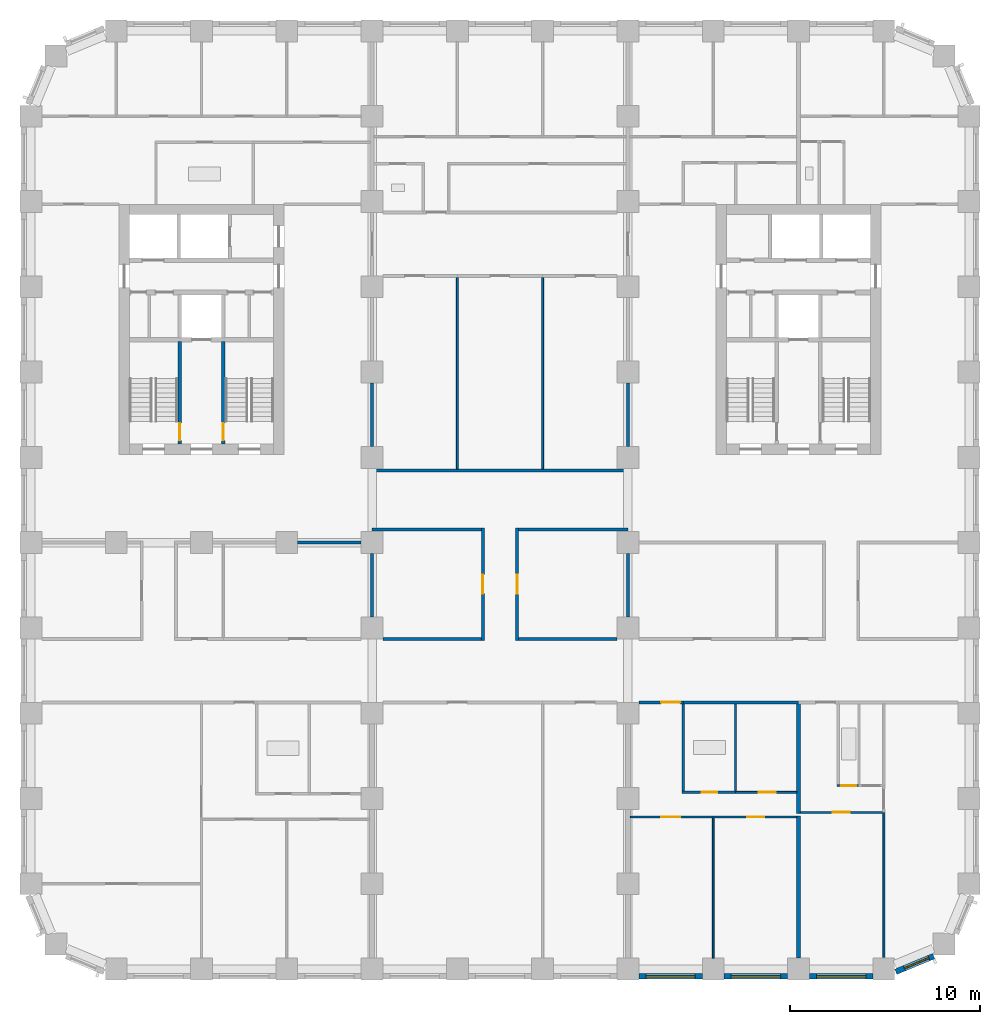
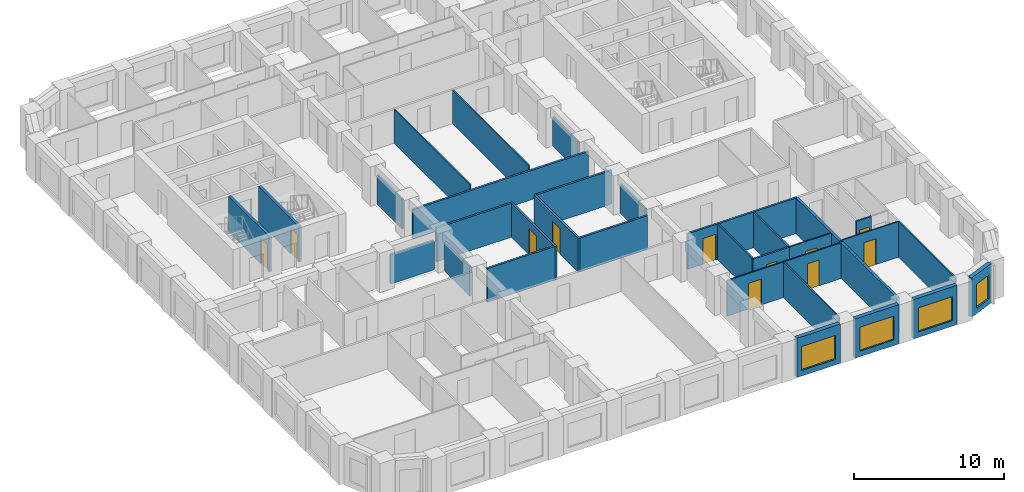
# One storey, part 4 of 13: 34 walls, 11 doors, 4 windows, 15 openings.
"""IFC4 building model written with IfcOpenShell, lengths in metres."""

from ifc_helpers import new_model, si_unit, direction, frame, frame_2d, origin, place, context, subcontext, project, spatial, rectangle, extrude, material, layer, layer_set, type_object, element, fill, save


model = new_model("IFC4")

# Units and contexts
model_context = context("Model", 3, precision=1e-05, world=origin(), true_north=direction((0.0, 1.0)))
body_context = subcontext(model_context, "Body", "Model", "MODEL_VIEW")
ifc_project = project(units=[si_unit("LENGTHUNIT", "METRE"), si_unit("AREAUNIT", "SQUARE_METRE"), si_unit("VOLUMEUNIT", "CUBIC_METRE"), si_unit("PLANEANGLEUNIT", "RADIAN"), si_unit("MASSUNIT", "GRAM", prefix="KILO")], contexts=[model_context])

# Site, building, storey
site_placement = place(None, origin())
site = spatial("IfcSite", under=ifc_project, at=site_placement, CompositionType="ELEMENT")
building_placement = place(site_placement, origin())
building = spatial("IfcBuilding", under=site, at=building_placement, Name="Girih Gate Residences", CompositionType="ELEMENT")
storey_placement = place(building_placement, frame((0.0, 0.0, 89.60009765625)))
storey = spatial("IfcBuildingStorey", under=building, at=storey_placement, Name="L24", CompositionType="ELEMENT", Elevation=89.60009765625)

# Wall
ifc_material_1 = material(Name="Gypsum board on steel studs", Category="steel")
ifc_layer_1 = layer(ifc_material_1, 0.14990234375)
ifc_layer_set_1 = layer_set([ifc_layer_1], Name="Compartment wall 150 mm")
wall_type_1 = type_object("IfcWallType", Name="Compartment wall 150 mm", PredefinedType="PARTITIONING", material=ifc_layer_set_1)
wall_1_placement = place(storey_placement, frame((34.425048828125, 14.074951171875, 0.0), z_axis=(0.0, 0.0, 1.0), x_axis=(1.0, 0.0, 0.0)))
element("IfcWall", 1, at=wall_1_placement, inside=storey, type_object=wall_type_1, Name="L24 partition", PredefinedType="PARTITIONING", context=body_context, shape_type="SweptSolid", body=[
    extrude(rectangle(XDim=6.074951171875, YDim=0.14990234375, at=frame_2d((3.03759765625, 0.0))), origin(), (0.0, 0.0, 1.0), 2.89990234375),
])

# Wall, opening, door
wall_2_placement = place(storey_placement, frame((34.425048828125, 14.074951171875, 0.0), z_axis=(0.0, 0.0, 1.0), x_axis=(-1.0, 0.0, 0.0)))
wall_2 = element("IfcWall", 2, at=wall_2_placement, inside=storey, type_object=wall_type_1, Name="L24 partition", PredefinedType="PARTITIONING", context=body_context, shape_type="SweptSolid", body=[
    extrude(rectangle(XDim=2.35009765625, YDim=0.14990234375, at=frame_2d((1.175048828125, 0.0))), origin(), (0.0, 0.0, 1.0), 2.89990234375),
])
opening_1_placement = place(wall_2_placement, frame((0.175048828125, 0.0, 0.0)))
opening_1 = element("IfcOpeningElement", 3, at=opening_1_placement, cuts=wall_2, Name="Opening A24-024", PredefinedType="OPENING", context=body_context, shape_type="SweptSolid", body=[
    extrude(rectangle(XDim=1.0, YDim=2.10009765625, at=frame_2d((0.5, 1.050048828125))), frame((0.0, 0.0849609375, 0.0), z_axis=(0.0, -1.0, 0.0), x_axis=(1.0, 0.0, 0.0)), (0.0, 0.0, 1.0), 0.169921875),
])
ifc_material_2 = material(Name="Timber, fire-rated core", Category="wood")
door_type_1 = type_object("IfcDoorType", Name="Flat entrance door 1000x2100 FD30S", OperationType="NOTDEFINED", PredefinedType="DOOR", material=ifc_material_2)
door_1_placement = place(opening_1_placement, origin())
door_1 = element("IfcDoor", 4, at=door_1_placement, inside=storey, type_object=door_type_1, Name="Door A24-024", OperationType="SINGLE_SWING_LEFT", OverallHeight=2.10009765625, OverallWidth=1.0, PredefinedType="DOOR", context=body_context, shape_type="SweptSolid", body=[
    extrude(rectangle(XDim=1.0, YDim=2.10009765625, at=frame_2d((0.5, 1.050048828125))), frame((0.0, 0.02490234375, 0.0), z_axis=(0.0, -1.0, 0.0), x_axis=(1.0, 0.0, 0.0)), (0.0, 0.0, 1.0), 0.050048828125),
])
fill(opening_1, door_1)

wall_3_placement = place(storey_placement, frame((23.85009765625, 17.35009765625, 0.0), z_axis=(0.0, 0.0, 1.0), x_axis=(0.0, 1.0, 0.0)))
wall_3 = element("IfcWall", 5, at=wall_3_placement, inside=storey, type_object=wall_type_1, Name="L24 partition", PredefinedType="PARTITIONING", context=body_context, shape_type="SweptSolid", body=[
    extrude(rectangle(XDim=5.9248046875, YDim=0.14990234375, at=frame_2d((2.96240234375, 0.0))), origin(), (0.0, 0.0, 1.0), 2.75),
])
opening_2_placement = place(wall_3_placement, frame((2.46240234375, 0.0, 0.0)))
opening_2 = element("IfcOpeningElement", 6, at=opening_2_placement, cuts=wall_3, Name="Opening A24-048", PredefinedType="OPENING", context=body_context, shape_type="SweptSolid", body=[
    extrude(rectangle(XDim=1.0, YDim=2.10009765625, at=frame_2d((0.5, 1.050048828125))), frame((0.0, 0.0849609375, 0.0), z_axis=(0.0, -1.0, 0.0), x_axis=(1.0, 0.0, 0.0)), (0.0, 0.0, 1.0), 0.169921875),
])
door_type_2 = type_object("IfcDoorType", Name="Amenity room door 1000x2100 FD30S", OperationType="NOTDEFINED", PredefinedType="DOOR", material=ifc_material_2)
door_2_placement = place(opening_2_placement, origin())
door_2 = element("IfcDoor", 7, at=door_2_placement, inside=storey, type_object=door_type_2, Name="Door A24-048", OperationType="SINGLE_SWING_RIGHT", OverallHeight=2.10009765625, OverallWidth=1.0, PredefinedType="DOOR", context=body_context, shape_type="SweptSolid", body=[
    extrude(rectangle(XDim=1.0, YDim=2.10009765625, at=frame_2d((0.5, 1.050048828125))), frame((0.0, 0.02490234375, 0.0), z_axis=(0.0, -1.0, 0.0), x_axis=(1.0, 0.0, 0.0)), (0.0, 0.0, 1.0), 0.050048828125),
])
fill(opening_2, door_2)

wall_4_placement = place(storey_placement, frame((25.64990234375, 23.27490234375, 0.0), z_axis=(0.0, 0.0, 1.0), x_axis=(0.0, -1.0, 0.0)))
wall_4 = element("IfcWall", 8, at=wall_4_placement, inside=storey, type_object=wall_type_1, Name="L24 partition", PredefinedType="PARTITIONING", context=body_context, shape_type="SweptSolid", body=[
    extrude(rectangle(XDim=5.9248046875, YDim=0.14990234375, at=frame_2d((2.96240234375, 0.0))), origin(), (0.0, 0.0, 1.0), 2.75),
])
opening_3_placement = place(wall_4_placement, frame((2.46240234375, 0.0, 0.0)))
opening_3 = element("IfcOpeningElement", 9, at=opening_3_placement, cuts=wall_4, Name="Opening A24-049", PredefinedType="OPENING", context=body_context, shape_type="SweptSolid", body=[
    extrude(rectangle(XDim=1.0, YDim=2.10009765625, at=frame_2d((0.5, 1.050048828125))), frame((0.0, 0.0849609375, 0.0), z_axis=(0.0, -1.0, 0.0), x_axis=(1.0, 0.0, 0.0)), (0.0, 0.0, 1.0), 0.169921875),
])
door_3_placement = place(opening_3_placement, origin())
door_3 = element("IfcDoor", 10, at=door_3_placement, inside=storey, type_object=door_type_2, Name="Door A24-049", OperationType="SINGLE_SWING_RIGHT", OverallHeight=2.10009765625, OverallWidth=1.0, PredefinedType="DOOR", context=body_context, shape_type="SweptSolid", body=[
    extrude(rectangle(XDim=1.0, YDim=2.10009765625, at=frame_2d((0.5, 1.050048828125))), frame((0.0, 0.02490234375, 0.0), z_axis=(0.0, -1.0, 0.0), x_axis=(1.0, 0.0, 0.0)), (0.0, 0.0, 1.0), 0.050048828125),
])
fill(opening_3, door_3)

# Walls
for number, where, z_axis, x_axis, name in (
    (11, (18.574951171875, 17.425048828125, 0.0), (0.0, 0.0, 1.0), (1.0, 0.0, 0.0), "L24 partition"),
    (12, (25.72509765625, 17.425048828125, 0.0), (0.0, 0.0, 1.0), (1.0, 0.0, 0.0), "L24 partition"),
):
    element("IfcWall", number, at=place(storey_placement, frame(where, z_axis=z_axis, x_axis=x_axis)), inside=storey, type_object=wall_type_1, Name=name, PredefinedType="PARTITIONING", context=body_context, shape_type="SweptSolid", body=[
        extrude(rectangle(XDim=5.199951171875, YDim=0.14990234375, at=frame_2d((2.60009765625, 0.0))), origin(), (0.0, 0.0, 1.0), 2.75),
    ])
wall_5_placement = place(storey_placement, frame((18.0, 27.574951171875, 0.0), z_axis=(0.0, 0.0, 1.0), x_axis=(0.0, 1.0, 0.0)))
element("IfcWall", 13, at=wall_5_placement, inside=storey, type_object=wall_type_1, Name="L24 partition", PredefinedType="PARTITIONING", context=body_context, shape_type="SweptSolid", body=[
    extrude(rectangle(XDim=3.35009765625, YDim=0.14990234375, at=frame_2d((1.675048828125, 0.0))), origin(), (0.0, 0.0, 1.0), 2.3798828125),
])
wall_6_placement = place(storey_placement, frame((18.0, 26.300048828125, 0.0), z_axis=(0.0, 0.0, 1.0), x_axis=(1.0, 0.0, 0.0)))
element("IfcWall", 14, at=wall_6_placement, inside=storey, type_object=wall_type_1, Name="L24 partition", PredefinedType="PARTITIONING", context=body_context, shape_type="SweptSolid", body=[
    extrude(rectangle(XDim=13.5, YDim=0.14990234375, at=frame_2d((6.75, 0.0))), origin(), (0.0, 0.0, 1.0), 2.3798828125),
])
wall_7_placement = place(storey_placement, frame((31.5, 27.574951171875, 0.0), z_axis=(0.0, 0.0, 1.0), x_axis=(0.0, 1.0, 0.0)))
element("IfcWall", 15, at=wall_7_placement, inside=storey, type_object=wall_type_1, Name="L24 partition", PredefinedType="PARTITIONING", context=body_context, shape_type="SweptSolid", body=[
    extrude(rectangle(XDim=3.35009765625, YDim=0.14990234375, at=frame_2d((1.675048828125, 0.0))), origin(), (0.0, 0.0, 1.0), 2.3798828125),
])
wall_8_placement = place(storey_placement, frame((18.0, 23.199951171875, 0.0), z_axis=(0.0, 0.0, 1.0), x_axis=(1.0, 0.0, 0.0)))
element("IfcWall", 16, at=wall_8_placement, inside=storey, type_object=wall_type_1, Name="L24 partition", PredefinedType="PARTITIONING", context=body_context, shape_type="SweptSolid", body=[
    extrude(rectangle(XDim=5.77490234375, YDim=0.14990234375, at=frame_2d((2.887451171875, 0.0))), origin(), (0.0, 0.0, 1.0), 2.75),
])
wall_9_placement = place(storey_placement, frame((18.0, 18.574951171875, 0.0), z_axis=(0.0, 0.0, 1.0), x_axis=(0.0, 1.0, 0.0)))
element("IfcWall", 17, at=wall_9_placement, inside=storey, type_object=wall_type_1, Name="L24 partition", PredefinedType="PARTITIONING", context=body_context, shape_type="SweptSolid", body=[
    extrude(rectangle(XDim=3.35009765625, YDim=0.14990234375, at=frame_2d((1.675048828125, 0.0))), origin(), (0.0, 0.0, 1.0), 2.3798828125),
])
wall_10_placement = place(storey_placement, frame((25.72509765625, 23.199951171875, 0.0), z_axis=(0.0, 0.0, 1.0), x_axis=(1.0, 0.0, 0.0)))
element("IfcWall", 18, at=wall_10_placement, inside=storey, type_object=wall_type_1, Name="L24 partition", PredefinedType="PARTITIONING", context=body_context, shape_type="SweptSolid", body=[
    extrude(rectangle(XDim=5.77490234375, YDim=0.14990234375, at=frame_2d((2.887451171875, 0.0))), origin(), (0.0, 0.0, 1.0), 2.75),
])
for number, where, z_axis, x_axis, name in (
    (19, (31.5, 18.574951171875, 0.0), (0.0, 0.0, 1.0), (0.0, 1.0, 0.0), "L24 partition"),
    (20, (14.074951171875, 22.5, 0.0), (0.0, 0.0, 1.0), (1.0, 0.0, 0.0), "L24 partition"),
):
    element("IfcWall", number, at=place(storey_placement, frame(where, z_axis=z_axis, x_axis=x_axis)), inside=storey, type_object=wall_type_1, Name=name, PredefinedType="PARTITIONING", context=body_context, shape_type="SweptSolid", body=[
        extrude(rectangle(XDim=3.35009765625, YDim=0.14990234375, at=frame_2d((1.675048828125, 0.0))), origin(), (0.0, 0.0, 1.0), 2.3798828125),
    ])

# Wall, opening, door
ifc_layer_2 = layer(ifc_material_1, 0.10009765625)
ifc_layer_set_2 = layer_set([ifc_layer_2], Name="Partition 100 mm")
wall_type_2 = type_object("IfcWallType", Name="Partition 100 mm", PredefinedType="PARTITIONING", material=ifc_layer_set_2)
wall_11_placement = place(storey_placement, frame((44.949951171875, 8.264892578125, 0.0), z_axis=(0.0, 0.0, 1.0), x_axis=(-1.0, 0.0, 0.0)))
wall_11 = element("IfcWall", 21, at=wall_11_placement, inside=storey, type_object=wall_type_2, Name="L24 partition", PredefinedType="PARTITIONING", context=body_context, shape_type="SweptSolid", body=[
    extrude(rectangle(XDim=4.349853515625, YDim=0.10009765625, at=frame_2d((2.1748046875, 0.0))), origin(), (0.0, 0.0, 1.0), 2.89990234375),
])
opening_4_placement = place(wall_11_placement, frame((1.75, 0.0, 0.0)))
opening_4 = element("IfcOpeningElement", 22, at=opening_4_placement, cuts=wall_11, Name="Opening A24-016", PredefinedType="OPENING", context=body_context, shape_type="SweptSolid", body=[
    extrude(rectangle(XDim=0.89990234375, YDim=2.10009765625, at=frame_2d((0.449951171875, 1.050048828125))), frame((0.0, 0.06005859375, 0.0), z_axis=(0.0, -1.0, 0.0), x_axis=(1.0, 0.0, 0.0)), (0.0, 0.0, 1.0), 0.1201171875),
])
ifc_material_3 = material(Name="Timber", Category="wood")
door_type_3 = type_object("IfcDoorType", Name="Bedroom door 900x2100", OperationType="NOTDEFINED", PredefinedType="DOOR", material=ifc_material_3)
door_4_placement = place(opening_4_placement, origin())
door_4 = element("IfcDoor", 23, at=door_4_placement, inside=storey, type_object=door_type_3, Name="Door A24-016", OperationType="SINGLE_SWING_RIGHT", OverallHeight=2.10009765625, OverallWidth=0.89990234375, PredefinedType="DOOR", context=body_context, shape_type="SweptSolid", body=[
    extrude(rectangle(XDim=0.89990234375, YDim=2.10009765625, at=frame_2d((0.449951171875, 1.050048828125))), frame((0.0, 0.02490234375, 0.0), z_axis=(0.0, -1.0, 0.0), x_axis=(1.0, 0.0, 0.0)), (0.0, 0.0, 1.0), 0.050048828125),
])
fill(opening_4, door_4)

# Wall
wall_12_placement = place(storey_placement, frame((45.0, 0.622314453125, 0.0), z_axis=(0.0, 0.0, 1.0), x_axis=(0.0, 1.0, 0.0)))
element("IfcWall", 24, at=wall_12_placement, inside=storey, type_object=wall_type_2, Name="L24 partition", PredefinedType="PARTITIONING", context=body_context, shape_type="SweptSolid", body=[
    extrude(rectangle(XDim=7.642578125, YDim=0.10009765625, at=frame_2d((3.8212890625, 0.0))), origin(), (0.0, 0.0, 1.0), 2.89990234375),
])

# Wall, opening, door
wall_13_placement = place(storey_placement, frame((40.39990234375, 8.02490234375, 0.0), z_axis=(0.0, 0.0, 1.0), x_axis=(-1.0, 0.0, 0.0)))
wall_13 = element("IfcWall", 25, at=wall_13_placement, inside=storey, type_object=wall_type_2, Name="L24 partition", PredefinedType="PARTITIONING", context=body_context, shape_type="SweptSolid", body=[
    extrude(rectangle(XDim=4.39990234375, YDim=0.10009765625, at=frame_2d((2.199951171875, 0.0))), origin(), (0.0, 0.0, 1.0), 2.89990234375),
])
opening_5_placement = place(wall_13_placement, frame((1.699951171875, 0.0, 0.0)))
opening_5 = element("IfcOpeningElement", 26, at=opening_5_placement, cuts=wall_13, Name="Opening A24-021", PredefinedType="OPENING", context=body_context, shape_type="SweptSolid", body=[
    extrude(rectangle(XDim=0.89990234375, YDim=2.10009765625, at=frame_2d((0.449951171875, 1.050048828125))), frame((0.0, 0.06005859375, 0.0), z_axis=(0.0, -1.0, 0.0), x_axis=(1.0, 0.0, 0.0)), (0.0, 0.0, 1.0), 0.1201171875),
])
door_5_placement = place(opening_5_placement, origin())
door_5 = element("IfcDoor", 27, at=door_5_placement, inside=storey, type_object=door_type_3, Name="Door A24-021", OperationType="SINGLE_SWING_LEFT", OverallHeight=2.10009765625, OverallWidth=0.89990234375, PredefinedType="DOOR", context=body_context, shape_type="SweptSolid", body=[
    extrude(rectangle(XDim=0.89990234375, YDim=2.10009765625, at=frame_2d((0.449951171875, 1.050048828125))), frame((0.0, 0.02490234375, 0.0), z_axis=(0.0, -1.0, 0.0), x_axis=(1.0, 0.0, 0.0)), (0.0, 0.0, 1.0), 0.050048828125),
])
fill(opening_5, door_5)

# Wall
wall_14_placement = place(storey_placement, frame((36.0, 0.574951171875, 0.0), z_axis=(0.0, 0.0, 1.0), x_axis=(0.0, 1.0, 0.0)))
element("IfcWall", 28, at=wall_14_placement, inside=storey, type_object=wall_type_2, Name="L24 partition", PredefinedType="PARTITIONING", context=body_context, shape_type="SweptSolid", body=[
    extrude(rectangle(XDim=7.400146484375, YDim=0.10009765625, at=frame_2d((3.7001953125, 0.0))), origin(), (0.0, 0.0, 1.0), 2.89990234375),
])

# Wall, opening, door
wall_15_placement = place(storey_placement, frame((37.17822265625, 9.324951171875, 0.0), z_axis=(0.0, 0.0, 1.0), x_axis=(1.0, 0.0, 0.0)))
wall_15 = element("IfcWall", 29, at=wall_15_placement, inside=storey, type_object=wall_type_2, Name="L24 partition", PredefinedType="PARTITIONING", context=body_context, shape_type="SweptSolid", body=[
    extrude(rectangle(XDim=3.2216796875, YDim=0.10009765625, at=frame_2d((1.61083984375, 0.0))), origin(), (0.0, 0.0, 1.0), 2.89990234375),
])
opening_6_placement = place(wall_15_placement, frame((1.2109375, 0.0, 0.0)))
opening_6 = element("IfcOpeningElement", 30, at=opening_6_placement, cuts=wall_15, Name="Opening A24-022", PredefinedType="OPENING", context=body_context, shape_type="SweptSolid", body=[
    extrude(rectangle(XDim=0.89990234375, YDim=2.10009765625, at=frame_2d((0.449951171875, 1.050048828125))), frame((0.0, 0.06005859375, 0.0), z_axis=(0.0, -1.0, 0.0), x_axis=(1.0, 0.0, 0.0)), (0.0, 0.0, 1.0), 0.1201171875),
])
door_type_4 = type_object("IfcDoorType", Name="Kitchen door 900x2100", OperationType="NOTDEFINED", PredefinedType="DOOR", material=ifc_material_3)
door_6_placement = place(opening_6_placement, origin())
door_6 = element("IfcDoor", 31, at=door_6_placement, inside=storey, type_object=door_type_4, Name="Door A24-022", OperationType="SINGLE_SWING_RIGHT", OverallHeight=2.10009765625, OverallWidth=0.89990234375, PredefinedType="DOOR", context=body_context, shape_type="SweptSolid", body=[
    extrude(rectangle(XDim=0.89990234375, YDim=2.10009765625, at=frame_2d((0.449951171875, 1.050048828125))), frame((0.0, 0.02490234375, 0.0), z_axis=(0.0, -1.0, 0.0), x_axis=(1.0, 0.0, 0.0)), (0.0, 0.0, 1.0), 0.050048828125),
])
fill(opening_6, door_6)

wall_16_placement = place(storey_placement, frame((36.0, 8.02490234375, 0.0), z_axis=(0.0, 0.0, 1.0), x_axis=(-1.0, 0.0, 0.0)))
wall_16 = element("IfcWall", 32, at=wall_16_placement, inside=storey, type_object=wall_type_2, Name="L24 partition", PredefinedType="PARTITIONING", context=body_context, shape_type="SweptSolid", body=[
    extrude(rectangle(XDim=4.375, YDim=0.10009765625, at=frame_2d((2.1875, 0.0))), origin(), (0.0, 0.0, 1.0), 2.89990234375),
])
opening_7_placement = place(wall_16_placement, frame((1.75, 0.0, 0.0)))
opening_7 = element("IfcOpeningElement", 33, at=opening_7_placement, cuts=wall_16, Name="Opening A24-023", PredefinedType="OPENING", context=body_context, shape_type="SweptSolid", body=[
    extrude(rectangle(XDim=1.0, YDim=2.10009765625, at=frame_2d((0.5, 1.050048828125))), frame((0.0, 0.06005859375, 0.0), z_axis=(0.0, -1.0, 0.0), x_axis=(1.0, 0.0, 0.0)), (0.0, 0.0, 1.0), 0.1201171875),
])
door_type_5 = type_object("IfcDoorType", Name="Living room door 1000x2100", OperationType="NOTDEFINED", PredefinedType="DOOR", material=ifc_material_3)
door_7_placement = place(opening_7_placement, origin())
door_7 = element("IfcDoor", 34, at=door_7_placement, inside=storey, type_object=door_type_5, Name="Door A24-023", OperationType="SINGLE_SWING_RIGHT", OverallHeight=2.10009765625, OverallWidth=1.0, PredefinedType="DOOR", context=body_context, shape_type="SweptSolid", body=[
    extrude(rectangle(XDim=1.0, YDim=2.10009765625, at=frame_2d((0.5, 1.050048828125))), frame((0.0, 0.02490234375, 0.0), z_axis=(0.0, -1.0, 0.0), x_axis=(1.0, 0.0, 0.0)), (0.0, 0.0, 1.0), 0.050048828125),
])
fill(opening_7, door_7)

# Walls
for number, where, z_axis, x_axis, name in (
    (35, (22.5, 26.375, 0.0), (0.0, 0.0, 1.0), (0.0, 1.0, 0.0), "L24 partition"),
    (36, (27.0, 26.375, 0.0), (0.0, 0.0, 1.0), (0.0, 1.0, 0.0), "L24 partition"),
):
    element("IfcWall", number, at=place(storey_placement, frame(where, z_axis=z_axis, x_axis=x_axis)), inside=storey, type_object=wall_type_2, Name=name, PredefinedType="PARTITIONING", context=body_context, shape_type="SweptSolid", body=[
        extrude(rectangle(XDim=10.125, YDim=0.10009765625, at=frame_2d((5.0625, 0.0))), origin(), (0.0, 0.0, 1.0), 2.75),
    ])
ifc_layer_3 = layer(ifc_material_1, 0.199951171875)
ifc_layer_set_3 = layer_set([ifc_layer_3], Name="Party wall 200 mm")
wall_type_3 = type_object("IfcWallType", Name="Party wall 200 mm", PredefinedType="PARTITIONING", material=ifc_layer_set_3)
wall_17_placement = place(storey_placement, frame((40.5, 0.574951171875, 0.0), z_axis=(0.0, 0.0, 1.0), x_axis=(0.0, 1.0, 0.0)))
element("IfcWall", 37, at=wall_17_placement, inside=storey, type_object=wall_type_3, Name="L24 partition", PredefinedType="PARTITIONING", context=body_context, shape_type="SweptSolid", body=[
    extrude(rectangle(XDim=7.5, YDim=0.199951171875, at=frame_2d((3.75, 0.0))), origin(), (0.0, 0.0, 1.0), 2.89990234375),
])
wall_18_placement = place(storey_placement, frame((40.5, 8.215087890625, 0.0), z_axis=(0.0, 0.0, 1.0), x_axis=(0.0, 1.0, 0.0)))
element("IfcWall", 38, at=wall_18_placement, inside=storey, type_object=wall_type_3, Name="L24 partition", PredefinedType="PARTITIONING", context=body_context, shape_type="SweptSolid", body=[
    extrude(rectangle(XDim=5.784912109375, YDim=0.199951171875, at=frame_2d((2.892578125, 0.0))), origin(), (0.0, 0.0, 1.0), 2.89990234375),
])

# Wall, opening, window
ifc_material_4 = material(Name="Precast concrete C50/60", Category="concrete")
ifc_layer_4 = layer(ifc_material_4, 0.080078125, Name="Outer leaf")
ifc_material_5 = material(Name="Rigid PIR insulation")
ifc_layer_5 = layer(ifc_material_5, 0.14990234375, Name="Insulation")
ifc_material_6 = material(Name="Precast concrete C40/50", Category="concrete")
ifc_layer_6 = layer(ifc_material_6, 0.070068359375, Name="Inner leaf")
ifc_layer_set_4 = layer_set([ifc_layer_4, ifc_layer_5, ifc_layer_6], Name="Precast concrete C50/60 external wall 300")
wall_type_4 = type_object("IfcWallType", Name="Precast concrete C50/60 external wall 300", PredefinedType="SOLIDWALL", material=ifc_layer_set_4)
wall_19_placement = place(storey_placement, frame((35.425048828125, -0.375, 0.0), z_axis=(0.0, 0.0, 1.0), x_axis=(-1.0, 0.0, 0.0)))
wall_19 = element("IfcWall", 39, at=wall_19_placement, inside=storey, type_object=wall_type_4, Name="External wall S0045_0000.6", PredefinedType="SOLIDWALL", context=body_context, shape_type="SweptSolid", body=[
    extrude(rectangle(XDim=3.35009765625, YDim=0.300048828125, at=frame_2d((1.675048828125, 0.0))), origin(), (0.0, 0.0, 1.0), 3.199951171875),
])
opening_8_placement = place(wall_19_placement, frame((0.375, 0.0, 0.449951171875)))
opening_8 = element("IfcOpeningElement", 40, at=opening_8_placement, cuts=wall_19, Name="Opening W-1A", PredefinedType="OPENING", context=body_context, shape_type="SweptSolid", body=[
    extrude(rectangle(XDim=2.60009765625, YDim=1.949951171875, at=frame_2d((1.300048828125, 0.97509765625))), frame((0.0, 0.159912109375, 0.0), z_axis=(0.0, -1.0, 0.0), x_axis=(1.0, 0.0, 0.0)), (0.0, 0.0, 1.0), 0.320068359375),
])
ifc_material_7 = material(Name="Double glazing in aluminium frame", Category="aluminium")
window_type_1 = type_object("IfcWindowType", Name="Window W-1A 2600x1950", PartitioningType="SINGLE_PANEL", PredefinedType="WINDOW", material=ifc_material_7)
window_1_placement = place(opening_8_placement, origin())
window_1 = element("IfcWindow", 41, at=window_1_placement, inside=storey, type_object=window_type_1, Name="Window W-1A S0045_0000.6", OverallHeight=1.949951171875, OverallWidth=2.60009765625, PartitioningType="SINGLE_PANEL", PredefinedType="WINDOW", context=body_context, shape_type="SweptSolid", body=[
    extrude(rectangle(XDim=2.60009765625, YDim=1.949951171875, at=frame_2d((1.300048828125, 0.97509765625))), frame((0.0, 0.030029296875, 0.0), z_axis=(0.0, -1.0, 0.0), x_axis=(1.0, 0.0, 0.0)), (0.0, 0.0, 1.0), 0.06005859375),
])
fill(opening_8, window_1)

wall_20_placement = place(storey_placement, frame((39.925048828125, -0.375, 0.0), z_axis=(0.0, 0.0, 1.0), x_axis=(-1.0, 0.0, 0.0)))
wall_20 = element("IfcWall", 42, at=wall_20_placement, inside=storey, type_object=wall_type_4, Name="External wall S0045_0000.7", PredefinedType="SOLIDWALL", context=body_context, shape_type="SweptSolid", body=[
    extrude(rectangle(XDim=3.35009765625, YDim=0.300048828125, at=frame_2d((1.675048828125, 0.0))), origin(), (0.0, 0.0, 1.0), 3.199951171875),
])
opening_9_placement = place(wall_20_placement, frame((0.375, 0.0, 0.449951171875)))
opening_9 = element("IfcOpeningElement", 43, at=opening_9_placement, cuts=wall_20, Name="Opening W-1A", PredefinedType="OPENING", context=body_context, shape_type="SweptSolid", body=[
    extrude(rectangle(XDim=2.60009765625, YDim=1.949951171875, at=frame_2d((1.300048828125, 0.97509765625))), frame((0.0, 0.159912109375, 0.0), z_axis=(0.0, -1.0, 0.0), x_axis=(1.0, 0.0, 0.0)), (0.0, 0.0, 1.0), 0.320068359375),
])
window_2_placement = place(opening_9_placement, origin())
window_2 = element("IfcWindow", 44, at=window_2_placement, inside=storey, type_object=window_type_1, Name="Window W-1A S0045_0000.7", OverallHeight=1.949951171875, OverallWidth=2.60009765625, PartitioningType="SINGLE_PANEL", PredefinedType="WINDOW", context=body_context, shape_type="SweptSolid", body=[
    extrude(rectangle(XDim=2.60009765625, YDim=1.949951171875, at=frame_2d((1.300048828125, 0.97509765625))), frame((0.0, 0.030029296875, 0.0), z_axis=(0.0, -1.0, 0.0), x_axis=(1.0, 0.0, 0.0)), (0.0, 0.0, 1.0), 0.06005859375),
])
fill(opening_9, window_2)

wall_21_placement = place(storey_placement, frame((44.425048828125, -0.375, 0.0), z_axis=(0.0, 0.0, 1.0), x_axis=(-1.0, 0.0, 0.0)))
wall_21 = element("IfcWall", 45, at=wall_21_placement, inside=storey, type_object=wall_type_4, Name="External wall S0045_0000.8", PredefinedType="SOLIDWALL", context=body_context, shape_type="SweptSolid", body=[
    extrude(rectangle(XDim=3.35009765625, YDim=0.300048828125, at=frame_2d((1.675048828125, 0.0))), origin(), (0.0, 0.0, 1.0), 3.199951171875),
])
opening_10_placement = place(wall_21_placement, frame((0.375, 0.0, 0.449951171875)))
opening_10 = element("IfcOpeningElement", 46, at=opening_10_placement, cuts=wall_21, Name="Opening W-1A", PredefinedType="OPENING", context=body_context, shape_type="SweptSolid", body=[
    extrude(rectangle(XDim=2.60009765625, YDim=1.949951171875, at=frame_2d((1.300048828125, 0.97509765625))), frame((0.0, 0.159912109375, 0.0), z_axis=(0.0, -1.0, 0.0), x_axis=(1.0, 0.0, 0.0)), (0.0, 0.0, 1.0), 0.320068359375),
])
window_3_placement = place(opening_10_placement, origin())
window_3 = element("IfcWindow", 47, at=window_3_placement, inside=storey, type_object=window_type_1, Name="Window W-1A S0045_0000.8", OverallHeight=1.949951171875, OverallWidth=2.60009765625, PartitioningType="SINGLE_PANEL", PredefinedType="WINDOW", context=body_context, shape_type="SweptSolid", body=[
    extrude(rectangle(XDim=2.60009765625, YDim=1.949951171875, at=frame_2d((1.300048828125, 0.97509765625))), frame((0.0, 0.030029296875, 0.0), z_axis=(0.0, -1.0, 0.0), x_axis=(1.0, 0.0, 0.0)), (0.0, 0.0, 1.0), 0.06005859375),
])
fill(opening_10, window_3)

wall_22_placement = place(storey_placement, frame((47.63134765625, 0.68408203125, 0.0), z_axis=(0.0, 0.0, 1.0), x_axis=(-0.923862802911, -0.382723818695, 0.0)))
wall_22 = element("IfcWall", 48, at=wall_22_placement, inside=storey, type_object=wall_type_4, Name="External wall SE0450_0000.0", PredefinedType="SOLIDWALL", context=body_context, shape_type="SweptSolid", body=[
    extrude(rectangle(XDim=2.163818359375, YDim=0.300048828125, at=frame_2d((1.08203125, 0.0))), origin(), (0.0, 0.0, 1.0), 3.199951171875),
])
opening_11_placement = place(wall_22_placement, frame((0.270751953125, 0.0, 0.449951171875)))
opening_11 = element("IfcOpeningElement", 49, at=opening_11_placement, cuts=wall_22, Name="Opening W-2D", PredefinedType="OPENING", context=body_context, shape_type="SweptSolid", body=[
    extrude(rectangle(XDim=1.39990234375, YDim=1.949951171875, at=frame_2d((0.699951171875, 0.97509765625))), frame((0.0, 0.159912109375, 0.0), z_axis=(0.0, -1.0, 0.0), x_axis=(1.0, 0.0, 0.0)), (0.0, 0.0, 1.0), 0.320068359375),
])
window_type_2 = type_object("IfcWindowType", Name="Window W-2D 1400x1950", PartitioningType="SINGLE_PANEL", PredefinedType="WINDOW", material=ifc_material_7)
window_4_placement = place(opening_11_placement, origin())
window_4 = element("IfcWindow", 50, at=window_4_placement, inside=storey, type_object=window_type_2, Name="Window W-2D SE0450_0000.0", OverallHeight=1.949951171875, OverallWidth=1.39990234375, PartitioningType="SINGLE_PANEL", PredefinedType="WINDOW", context=body_context, shape_type="SweptSolid", body=[
    extrude(rectangle(XDim=1.39990234375, YDim=1.949951171875, at=frame_2d((0.699951171875, 0.97509765625))), frame((0.0, 0.030029296875, 0.0), z_axis=(0.0, -1.0, 0.0), x_axis=(1.0, 0.0, 0.0)), (0.0, 0.0, 1.0), 0.06005859375),
])
fill(opening_11, window_4)

# Wall, opening, door
ifc_material_8 = material(Name="Concrete C40/50", Category="concrete")
ifc_layer_7 = layer(ifc_material_8, 0.199951171875)
ifc_layer_set_5 = layer_set([ifc_layer_7], Name="Shaft wall 200")
wall_type_5 = type_object("IfcWallType", Name="Shaft wall 200", PredefinedType="SOLIDWALL", material=ifc_layer_set_5)
wall_23_placement = place(storey_placement, frame((7.85009765625, 27.699951171875, 0.0), z_axis=(0.0, 0.0, 1.0), x_axis=(0.0, 1.0, 0.0)))
wall_23 = element("IfcWall", 51, at=wall_23_placement, inside=storey, type_object=wall_type_5, Name="L24 W core wall V1a", PredefinedType="SOLIDWALL", context=body_context, shape_type="SweptSolid", body=[
    extrude(rectangle(XDim=5.400146484375, YDim=0.199951171875, at=frame_2d((2.7001953125, 0.0))), origin(), (0.0, 0.0, 1.0), 2.89990234375),
])
opening_12_placement = place(wall_23_placement, frame((0.199951171875, 0.0, 0.0)))
opening_12 = element("IfcOpeningElement", 52, at=opening_12_placement, cuts=wall_23, Name="Opening D-L24-W-001", PredefinedType="OPENING", context=body_context, shape_type="SweptSolid", body=[
    extrude(rectangle(XDim=0.89990234375, YDim=2.10009765625, at=frame_2d((0.449951171875, 1.050048828125))), frame((0.0, 0.10986328125, 0.0), z_axis=(0.0, -1.0, 0.0), x_axis=(1.0, 0.0, 0.0)), (0.0, 0.0, 1.0), 0.219970703125),
])
ifc_material_9 = material(Name="Painted steel, fire-resisting", Category="steel")
door_type_6 = type_object("IfcDoorType", Name="Fire door 900x2100", OperationType="SINGLE_SWING_LEFT", PredefinedType="DOOR", material=ifc_material_9)
door_8_placement = place(opening_12_placement, origin())
door_8 = element("IfcDoor", 53, at=door_8_placement, inside=storey, type_object=door_type_6, Name="L24 W door stair 1 to firefighting lobby", OperationType="SINGLE_SWING_LEFT", OverallHeight=2.10009765625, OverallWidth=0.89990234375, PredefinedType="DOOR", context=body_context, shape_type="SweptSolid", body=[
    extrude(rectangle(XDim=0.89990234375, YDim=2.10009765625, at=frame_2d((0.449951171875, 1.050048828125))), frame((0.0, 0.02490234375, 0.0), z_axis=(0.0, -1.0, 0.0), x_axis=(1.0, 0.0, 0.0)), (0.0, 0.0, 1.0), 0.050048828125),
])
fill(opening_12, door_8)

wall_24_placement = place(storey_placement, frame((10.14990234375, 27.699951171875, 0.0), z_axis=(0.0, 0.0, 1.0), x_axis=(0.0, 1.0, 0.0)))
wall_24 = element("IfcWall", 54, at=wall_24_placement, inside=storey, type_object=wall_type_5, Name="L24 W core wall V2a", PredefinedType="SOLIDWALL", context=body_context, shape_type="SweptSolid", body=[
    extrude(rectangle(XDim=5.400146484375, YDim=0.199951171875, at=frame_2d((2.7001953125, 0.0))), origin(), (0.0, 0.0, 1.0), 2.89990234375),
])
opening_13_placement = place(wall_24_placement, frame((0.199951171875, 0.0, 0.0)))
opening_13 = element("IfcOpeningElement", 55, at=opening_13_placement, cuts=wall_24, Name="Opening D-L24-W-002", PredefinedType="OPENING", context=body_context, shape_type="SweptSolid", body=[
    extrude(rectangle(XDim=0.89990234375, YDim=2.10009765625, at=frame_2d((0.449951171875, 1.050048828125))), frame((0.0, 0.10986328125, 0.0), z_axis=(0.0, -1.0, 0.0), x_axis=(1.0, 0.0, 0.0)), (0.0, 0.0, 1.0), 0.219970703125),
])
door_9_placement = place(opening_13_placement, origin())
door_9 = element("IfcDoor", 56, at=door_9_placement, inside=storey, type_object=door_type_6, Name="L24 W door stair 2 to firefighting lobby", OperationType="SINGLE_SWING_LEFT", OverallHeight=2.10009765625, OverallWidth=0.89990234375, PredefinedType="DOOR", context=body_context, shape_type="SweptSolid", body=[
    extrude(rectangle(XDim=0.89990234375, YDim=2.10009765625, at=frame_2d((0.449951171875, 1.050048828125))), frame((0.0, 0.02490234375, 0.0), z_axis=(0.0, -1.0, 0.0), x_axis=(1.0, 0.0, 0.0)), (0.0, 0.0, 1.0), 0.050048828125),
])
fill(opening_13, door_9)

ifc_layer_8 = layer(ifc_material_1, 0.125)
ifc_layer_set_6 = layer_set([ifc_layer_8], Name="Wet room wall 125 mm")
wall_type_6 = type_object("IfcWallType", Name="Wet room wall 125 mm", PredefinedType="PARTITIONING", material=ifc_layer_set_6)
wall_25_placement = place(storey_placement, frame((42.53759765625, 9.68505859375, 0.0), z_axis=(0.0, 0.0, 1.0), x_axis=(1.0, 0.0, 0.0)))
wall_25 = element("IfcWall", 57, at=wall_25_placement, inside=storey, type_object=wall_type_6, Name="L24 partition", PredefinedType="PARTITIONING", context=body_context, shape_type="SweptSolid", body=[
    extrude(rectangle(XDim=1.1533203125, YDim=0.125, at=frame_2d((0.57666015625, 0.0))), origin(), (0.0, 0.0, 1.0), 2.89990234375),
])
opening_14_placement = place(wall_25_placement, frame((0.2080078125, 0.0, 0.0)))
opening_14 = element("IfcOpeningElement", 58, at=opening_14_placement, cuts=wall_25, Name="Opening A24-015", PredefinedType="OPENING", context=body_context, shape_type="SweptSolid", body=[
    extrude(rectangle(XDim=0.800048828125, YDim=2.10009765625, at=frame_2d((0.39990234375, 1.050048828125))), frame((0.0, 0.072509765625, 0.0), z_axis=(0.0, -1.0, 0.0), x_axis=(1.0, 0.0, 0.0)), (0.0, 0.0, 1.0), 0.14501953125),
])
door_type_7 = type_object("IfcDoorType", Name="Bathroom door 800x2100", OperationType="NOTDEFINED", PredefinedType="DOOR", material=ifc_material_3)
door_10_placement = place(opening_14_placement, origin())
door_10 = element("IfcDoor", 59, at=door_10_placement, inside=storey, type_object=door_type_7, Name="Door A24-015", OperationType="SINGLE_SWING_RIGHT", OverallHeight=2.10009765625, OverallWidth=0.800048828125, PredefinedType="DOOR", context=body_context, shape_type="SweptSolid", body=[
    extrude(rectangle(XDim=0.800048828125, YDim=2.10009765625, at=frame_2d((0.39990234375, 1.050048828125))), frame((0.0, 0.02490234375, 0.0), z_axis=(0.0, -1.0, 0.0), x_axis=(1.0, 0.0, 0.0)), (0.0, 0.0, 1.0), 0.050048828125),
])
fill(opening_14, door_10)

wall_26_placement = place(storey_placement, frame((34.362548828125, 9.324951171875, 0.0), z_axis=(0.0, 0.0, 1.0), x_axis=(1.0, 0.0, 0.0)))
wall_26 = element("IfcWall", 60, at=wall_26_placement, inside=storey, type_object=wall_type_6, Name="L24 partition", PredefinedType="PARTITIONING", context=body_context, shape_type="SweptSolid", body=[
    extrude(rectangle(XDim=2.815673828125, YDim=0.125, at=frame_2d((1.40771484375, 0.0))), origin(), (0.0, 0.0, 1.0), 2.89990234375),
])
opening_15_placement = place(wall_26_placement, frame((1.0390625, 0.0, 0.0)))
opening_15 = element("IfcOpeningElement", 61, at=opening_15_placement, cuts=wall_26, Name="Opening A24-020", PredefinedType="OPENING", context=body_context, shape_type="SweptSolid", body=[
    extrude(rectangle(XDim=0.800048828125, YDim=2.10009765625, at=frame_2d((0.39990234375, 1.050048828125))), frame((0.0, 0.072509765625, 0.0), z_axis=(0.0, -1.0, 0.0), x_axis=(1.0, 0.0, 0.0)), (0.0, 0.0, 1.0), 0.14501953125),
])
door_11_placement = place(opening_15_placement, origin())
door_11 = element("IfcDoor", 62, at=door_11_placement, inside=storey, type_object=door_type_7, Name="Door A24-020", OperationType="SINGLE_SWING_RIGHT", OverallHeight=2.10009765625, OverallWidth=0.800048828125, PredefinedType="DOOR", context=body_context, shape_type="SweptSolid", body=[
    extrude(rectangle(XDim=0.800048828125, YDim=2.10009765625, at=frame_2d((0.39990234375, 1.050048828125))), frame((0.0, 0.02490234375, 0.0), z_axis=(0.0, -1.0, 0.0), x_axis=(1.0, 0.0, 0.0)), (0.0, 0.0, 1.0), 0.050048828125),
])
fill(opening_15, door_11)

# Walls
for number, where, z_axis, x_axis, name in (
    (63, (34.425048828125, 9.387451171875, 0.0), (0.0, 0.0, 1.0), (0.0, 1.0, 0.0), "L24 partition"),
    (64, (37.177978515625, 9.387451171875, 0.0), (0.0, 0.0, 1.0), (0.0, 1.0, 0.0), "L24 partition"),
):
    element("IfcWall", number, at=place(storey_placement, frame(where, z_axis=z_axis, x_axis=x_axis)), inside=storey, type_object=wall_type_6, Name=name, PredefinedType="PARTITIONING", context=body_context, shape_type="SweptSolid", body=[
        extrude(rectangle(XDim=4.612548828125, YDim=0.125, at=frame_2d((2.30615234375, 0.0))), origin(), (0.0, 0.0, 1.0), 2.89990234375),
    ])

save(model, "model.ifc")
